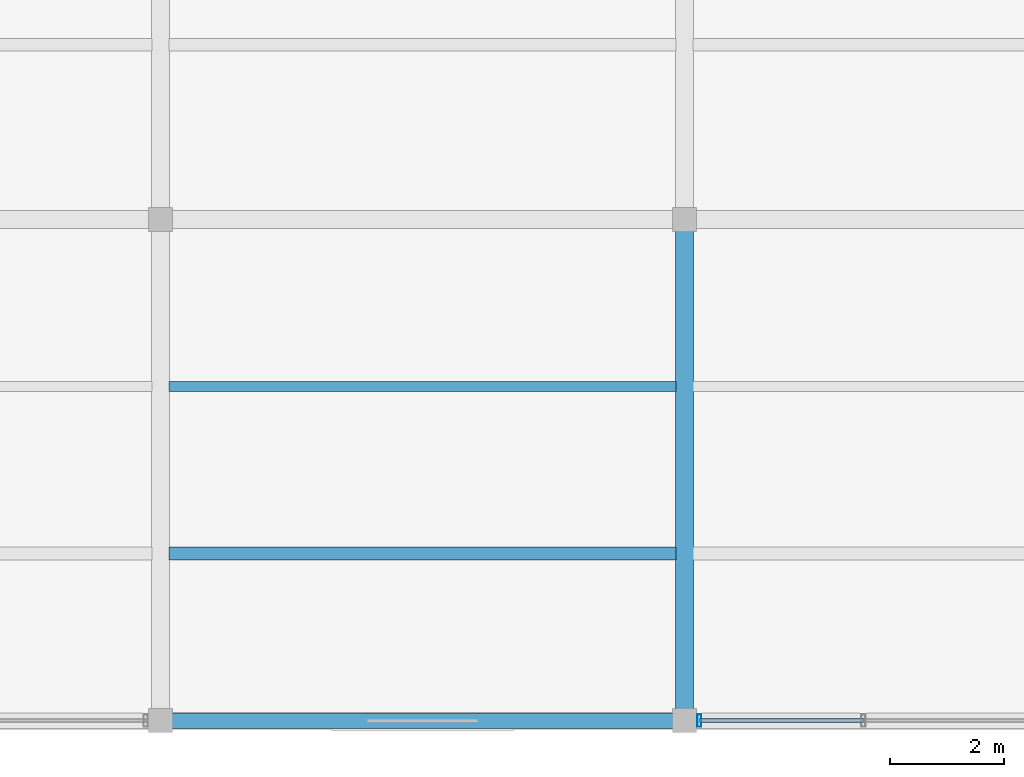
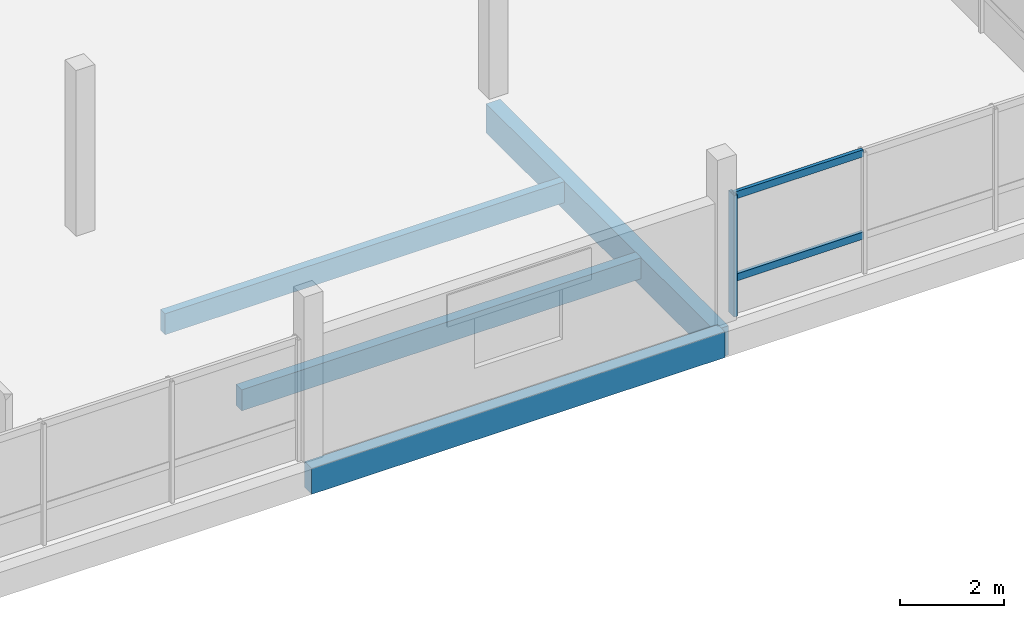
# One storey, part 11 of 47: 4 beams, 3 members, 1 element without a shape of its own.
"""IFC4 building model written with IfcOpenShell, lengths in metres."""

from ifc_helpers import new_model, si_unit, direction, frame, origin, origin_2d, place, context, subcontext, project, spatial, rectangle, hollow_rectangle, extrude, material, layer, layer_set, material_profile, profile_set, type_object, element, aggregate, save


model = new_model("IFC4")

# Units and contexts
model_context = context("Model", 3, precision=1e-05, world=origin(), true_north=direction((0.0, 1.0)))
body_context = subcontext(model_context, "Body", "Model", "MODEL_VIEW")
ifc_project = project(units=[si_unit("LENGTHUNIT", "METRE"), si_unit("AREAUNIT", "SQUARE_METRE"), si_unit("VOLUMEUNIT", "CUBIC_METRE"), si_unit("PLANEANGLEUNIT", "RADIAN"), si_unit("MASSUNIT", "GRAM", prefix="KILO")], contexts=[model_context])

# Site, building, storey
site_placement = place(None, origin())
site = spatial("IfcSite", under=ifc_project, at=site_placement, CompositionType="ELEMENT")
building_placement = place(site_placement, origin())
building = spatial("IfcBuilding", under=site, at=building_placement, Name="Meriwether Solvik Hall", CompositionType="ELEMENT")
storey_placement = place(building_placement, frame((0.0, 0.0, 18.300048828125)))
storey = spatial("IfcBuildingStorey", under=building, at=storey_placement, Name="L04", CompositionType="ELEMENT", Elevation=18.300048828125)

# Beams
ifc_material_1 = material(Name="Glulam Douglas-Fir 24F-V8 GL28h", Category="wood")
ifc_material_profile_1 = material_profile(ifc_material_1, rectangle(XDim=0.27294921875, YDim=0.610107421875, at=origin_2d()), Name="GLB-273X610")
ifc_profile_set_1 = profile_set([ifc_material_profile_1], Name="Glulam Douglas-Fir 24F-V8 GL28h")
beam_type_1 = type_object("IfcBeamType", Name="BM-GL-273X610", PredefinedType="SPANDREL", material=ifc_profile_set_1)
beam_1_placement = place(storey_placement, frame((95.800048828125, 5.199951171875, -0.550048828125), z_axis=(1.0, 0.0, 0.0), x_axis=(0.0, 1.0, 0.0)))
element("IfcBeam", 1, at=beam_1_placement, inside=storey, type_object=beam_type_1, Name="Podium Girder A:11-12 (L04)", PredefinedType="SPANDREL", context=body_context, shape_type="SweptSolid", body=[
    extrude(rectangle(XDim=0.27294921875, YDim=0.610107421875, at=origin_2d()), origin(), (0.0, 0.0, 1.0), 9.199951171875),
])
ifc_material_2 = material(Name="Glulam Douglas-Fir 24F-V8 GL28h", Category="wood")
ifc_material_profile_2 = material_profile(ifc_material_2, rectangle(XDim=0.31494140625, YDim=0.68505859375, at=origin_2d()), Name="GLB-315X685")
ifc_profile_set_2 = profile_set([ifc_material_profile_2], Name="Glulam Douglas-Fir 24F-V8 GL28h")
beam_type_2 = type_object("IfcBeamType", Name="BM-GL-315X685", PredefinedType="BEAM", material=ifc_profile_set_2)
beam_2_placement = place(storey_placement, frame((105.0, 5.199951171875, -0.587646484375), z_axis=(0.0, 1.0, 0.0), x_axis=(-1.0, 0.0, 0.0)))
element("IfcBeam", 2, at=beam_2_placement, inside=storey, type_object=beam_type_2, Name="Podium Girder 12:A-B (L04)", PredefinedType="BEAM", context=body_context, shape_type="SweptSolid", body=[
    extrude(rectangle(XDim=0.31494140625, YDim=0.68505859375, at=origin_2d()), origin(), (0.0, 0.0, 1.0), 8.800048828125),
])

# Curtain wall, members
ifc_material_3 = material(Name="Thermally Broken Anodised Aluminium 6063-T6 and Low-E Glass", Category="aluminium")
ifc_layer = layer(ifc_material_3, 0.179931640625)
ifc_layer_set = layer_set([ifc_layer], Name="Thermally Broken Anodised Aluminium 6063-T6 and Low-E Glass")
curtain_wall_type = type_object("IfcCurtainWallType", Name="CW-UNIT-E", PredefinedType="USERDEFINED", material=ifc_layer_set)
curtain_wall_placement = place(storey_placement, origin())
curtain_wall = element("IfcCurtainWall", 3, at=curtain_wall_placement, inside=storey, type_object=curtain_wall_type, Name="Curtain Wall wing_XA_12_5 (L04)", ObjectType="UNITISED CURTAIN WALL", PredefinedType="USERDEFINED")
ifc_material_4 = material(Name="Anodised Aluminium 6063-T6", Category="aluminium")
ifc_material_profile_3 = material_profile(ifc_material_4, hollow_rectangle(XDim=0.074951171875, YDim=0.219970703125, WallThickness=0.005615234375, at=origin_2d()), Name="CWM-75X220")
ifc_profile_set_3 = profile_set([ifc_material_profile_3], Name="Anodised Aluminium 6063-T6")
member_type_1 = type_object("IfcMemberType", Name="CW-MUL-75X220", PredefinedType="MULLION", material=ifc_profile_set_3)
member_1_placement = place(storey_placement, frame((105.260009765625, 5.199951171875, 0.0), z_axis=(0.0, 0.0, 1.0), x_axis=(-1.0, 0.0, 0.0)))
member_1 = element("IfcMember", 4, at=member_1_placement, type_object=member_type_1, Name="Curtain Wall Mullion 4", PredefinedType="MULLION", context=body_context, shape_type="SweptSolid", body=[
    extrude(hollow_rectangle(XDim=0.074951171875, YDim=0.219970703125, WallThickness=0.005615234375, at=origin_2d()), origin(), (0.0, 0.0, 1.0), 2.85498046875),
])
ifc_material_5 = material(Name="Anodised Aluminium 6063-T6", Category="aluminium")
ifc_material_profile_4 = material_profile(ifc_material_5, hollow_rectangle(XDim=0.074951171875, YDim=0.169921875, WallThickness=0.005615234375, at=origin_2d()), Name="CWT-75X170")
ifc_profile_set_4 = profile_set([ifc_material_profile_4], Name="Anodised Aluminium 6063-T6")
member_type_2 = type_object("IfcMemberType", Name="CW-TRN-75X170", PredefinedType="USERDEFINED", material=ifc_profile_set_4)
member_2_placement = place(storey_placement, frame((108.140625, 5.199951171875, 0.8564453125), z_axis=(-1.0, 0.0, 0.0), x_axis=(0.0, -1.0, 0.0)))
member_2 = element("IfcMember", 5, at=member_2_placement, type_object=member_type_2, Name="Curtain Wall Transom 3-sill", ObjectType="TRANSOM", PredefinedType="USERDEFINED", context=body_context, shape_type="SweptSolid", body=[
    extrude(hollow_rectangle(XDim=0.074951171875, YDim=0.169921875, WallThickness=0.005615234375, at=origin_2d()), origin(), (0.0, 0.0, 1.0), 2.880615234375),
])
member_3_placement = place(storey_placement, frame((108.140625, 5.199951171875, 2.794921875), z_axis=(-1.0, 0.0, 0.0), x_axis=(0.0, -1.0, 0.0)))
member_3 = element("IfcMember", 6, at=member_3_placement, type_object=member_type_2, Name="Curtain Wall Transom 3-head", ObjectType="TRANSOM", PredefinedType="USERDEFINED", context=body_context, shape_type="SweptSolid", body=[
    extrude(hollow_rectangle(XDim=0.074951171875, YDim=0.169921875, WallThickness=0.005615234375, at=origin_2d()), origin(), (0.0, 0.0, 1.0), 2.880615234375),
])
aggregate(curtain_wall, [member_1, member_2, member_3])

# Beams
ifc_material_6 = material(Name="Glulam Douglas-Fir 24F-V8 GL28h", Category="wood")
ifc_material_profile_5 = material_profile(ifc_material_6, rectangle(XDim=0.175048828125, YDim=0.4951171875, at=origin_2d()), Name="GLJ-175X495")
ifc_profile_set_5 = profile_set([ifc_material_profile_5], Name="Glulam Douglas-Fir 24F-V8 GL28h")
beam_type_3 = type_object("IfcBeamType", Name="JST-GL-175X495", PredefinedType="JOIST", material=ifc_profile_set_5)
beam_3_placement = place(storey_placement, frame((95.952392578125, 11.066650390625, -0.492431640625), z_axis=(1.0, 0.0, 0.0), x_axis=(0.0, 1.0, 0.0)))
element("IfcBeam", 7, at=beam_3_placement, inside=storey, type_object=beam_type_3, Name="Secondary Floor Joist 11/A_J2 (L04)", PredefinedType="JOIST", context=body_context, shape_type="SweptSolid", body=[
    extrude(rectangle(XDim=0.175048828125, YDim=0.4951171875, at=origin_2d()), origin(), (0.0, 0.0, 1.0), 8.89501953125),
])
ifc_material_7 = material(Name="Glulam Douglas-Fir 24F-V8 GL28h", Category="wood")
ifc_material_profile_6 = material_profile(ifc_material_7, rectangle(XDim=0.221923828125, YDim=0.4951171875, at=origin_2d()), Name="GLJ-222X495")
ifc_profile_set_6 = profile_set([ifc_material_profile_6], Name="Glulam Douglas-Fir 24F-V8 GL28h")
beam_type_4 = type_object("IfcBeamType", Name="JST-GL-222X495", PredefinedType="JOIST", material=ifc_profile_set_6)
beam_4_placement = place(storey_placement, frame((95.952392578125, 8.13330078125, -0.492431640625), z_axis=(1.0, 0.0, 0.0), x_axis=(0.0, 1.0, 0.0)))
element("IfcBeam", 8, at=beam_4_placement, inside=storey, type_object=beam_type_4, Name="Secondary Floor Joist 11/A_J1 (L04)", PredefinedType="JOIST", context=body_context, shape_type="SweptSolid", body=[
    extrude(rectangle(XDim=0.221923828125, YDim=0.4951171875, at=origin_2d()), origin(), (0.0, 0.0, 1.0), 8.89501953125),
])

save(model, "model.ifc")
